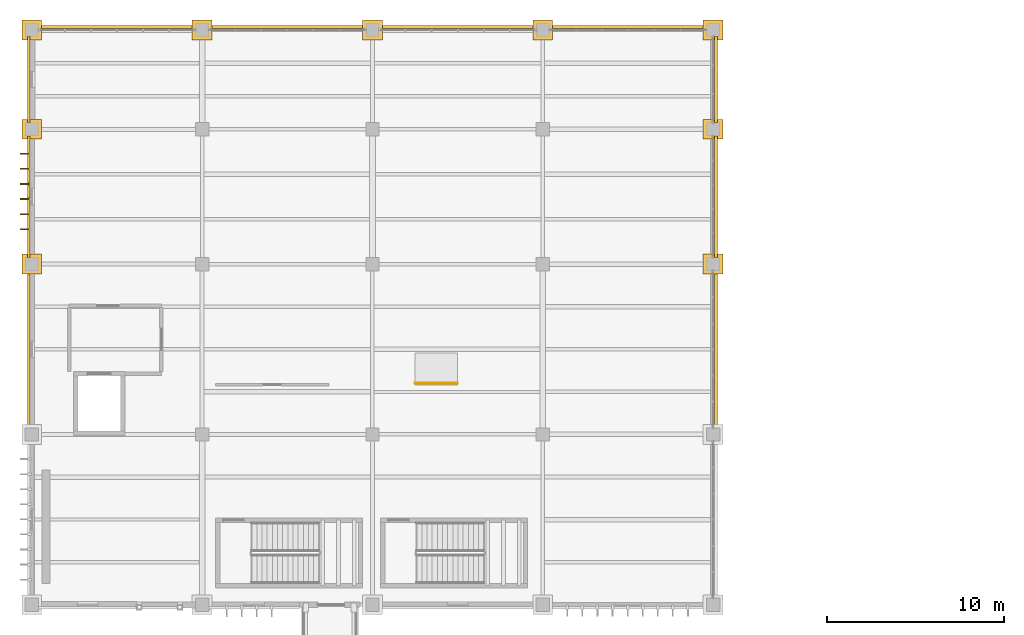
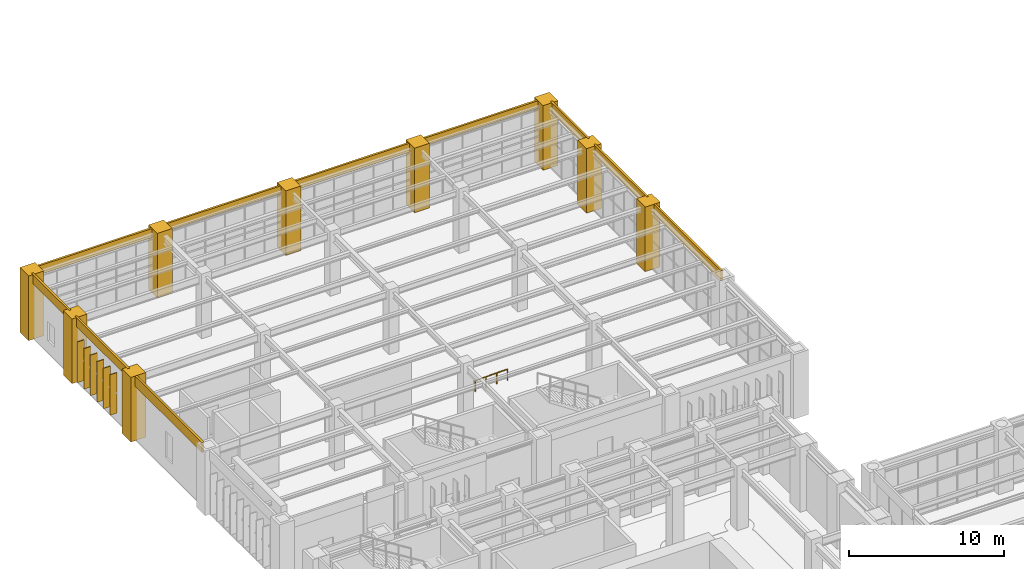
# One storey, part 168 of 174: 19 coverings, 6 shading devices, 1 railing.
"""IFC4 building model written with IfcOpenShell, lengths in metres."""

from ifc_helpers import new_model, si_unit, direction, frame, origin, origin_2d, place, context, subcontext, project, spatial, polyline, rectangle, circle, outline, extrude, material, layer, layer_set, type_object, element, save


model = new_model("IFC4")

# Units and contexts
model_context = context("Model", 3, precision=1e-05, world=origin(), true_north=direction((0.0, 1.0)))
body_context = subcontext(model_context, "Body", "Model", "MODEL_VIEW")
ifc_project = project(units=[si_unit("LENGTHUNIT", "METRE"), si_unit("AREAUNIT", "SQUARE_METRE"), si_unit("VOLUMEUNIT", "CUBIC_METRE"), si_unit("PLANEANGLEUNIT", "RADIAN"), si_unit("MASSUNIT", "GRAM", prefix="KILO")], contexts=[model_context])

# Site, building, storey
site_placement = place(None, origin())
site = spatial("IfcSite", under=ifc_project, at=site_placement, CompositionType="ELEMENT")
building_placement = place(site_placement, origin())
building = spatial("IfcBuilding", under=site, at=building_placement, Name="Mavantir Sound Aquarium", CompositionType="ELEMENT")
storey_placement = place(building_placement, frame((0.0, 0.0, 5.39990234375)))
storey = spatial("IfcBuildingStorey", under=building, at=storey_placement, Name="L01", CompositionType="ELEMENT", Elevation=5.39990234375)

# Coverings
ifc_material_1 = material(Name="Honed Coral-Limestone & Glazed Terracotta Rainscreen Cladding", Category="masonry")
ifc_layer = layer(ifc_material_1, 0.06005859375, Name="Honed Coral-Limestone & Glazed Terracotta Rainscreen Cladding")
ifc_layer_set = layer_set([ifc_layer], Name="Honed Coral-Limestone & Glazed Terracotta Rainscreen Cladding")
covering_type = type_object("IfcCoveringType", Name="COV-CLAD-TC", PredefinedType="CLADDING", material=ifc_layer_set)
covering_1_placement = place(storey_placement, frame((0.0, 0.0, 4.279052734375)))
element("IfcCovering", 1, at=covering_1_placement, inside=storey, type_object=covering_type, Name="L01 Postmodern coral-limestone spandrel frieze 244", PredefinedType="CLADDING", context=body_context, shape_type="SweptSolid", body=[
    extrude(outline(polyline([(38.489990234375, 93.5830078125), (38.489990234375, 102.4169921875), (38.639892578125, 102.4169921875), (38.639892578125, 93.5830078125), (38.489990234375, 93.5830078125)])), origin(), (0.0, 0.0, 1.0), 0.821044921875),
])
covering_2_placement = place(storey_placement, frame((0.0, 0.0, 4.279052734375)))
element("IfcCovering", 2, at=covering_2_placement, inside=storey, type_object=covering_type, Name="L01 Postmodern coral-limestone spandrel frieze 245", PredefinedType="CLADDING", context=body_context, shape_type="SweptSolid", body=[
    extrude(outline(polyline([(38.489990234375, 103.18310546875), (38.489990234375, 110.01708984375), (38.639892578125, 110.01708984375), (38.639892578125, 103.18310546875), (38.489990234375, 103.18310546875)])), origin(), (0.0, 0.0, 1.0), 0.821044921875),
])
covering_3_placement = place(storey_placement, frame((0.0, 0.0, 4.279052734375)))
element("IfcCovering", 3, at=covering_3_placement, inside=storey, type_object=covering_type, Name="L01 Postmodern coral-limestone spandrel frieze 246", PredefinedType="CLADDING", context=body_context, shape_type="SweptSolid", body=[
    extrude(outline(polyline([(38.489990234375, 110.782958984375), (38.489990234375, 115.616943359375), (38.639892578125, 115.616943359375), (38.639892578125, 110.782958984375), (38.489990234375, 110.782958984375)])), origin(), (0.0, 0.0, 1.0), 0.821044921875),
])
covering_4_placement = place(storey_placement, frame((0.0, 0.0, 4.4931640625)))
element("IfcCovering", 4, at=covering_4_placement, inside=storey, type_object=covering_type, Name="L01 Postmodern coral-limestone spandrel frieze 247", PredefinedType="CLADDING", context=body_context, shape_type="SweptSolid", body=[
    extrude(outline(polyline([(38.01708984375, 116.090087890625), (29.18310546875, 116.090087890625), (29.18310546875, 116.239990234375), (38.01708984375, 116.239990234375), (38.01708984375, 116.090087890625)])), origin(), (0.0, 0.0, 1.0), 0.60693359375),
])
covering_5_placement = place(storey_placement, frame((0.0, 0.0, 4.38818359375)))
element("IfcCovering", 5, at=covering_5_placement, inside=storey, type_object=covering_type, Name="L01 Postmodern coral-limestone spandrel frieze 248", PredefinedType="CLADDING", context=body_context, shape_type="SweptSolid", body=[
    extrude(outline(polyline([(28.4169921875, 116.090087890625), (19.5830078125, 116.090087890625), (19.5830078125, 116.239990234375), (28.4169921875, 116.239990234375), (28.4169921875, 116.090087890625)])), origin(), (0.0, 0.0, 1.0), 0.7119140625),
])
covering_6_placement = place(storey_placement, frame((0.0, 0.0, 4.4931640625)))
element("IfcCovering", 6, at=covering_6_placement, inside=storey, type_object=covering_type, Name="L01 Postmodern coral-limestone spandrel frieze 249", PredefinedType="CLADDING", context=body_context, shape_type="SweptSolid", body=[
    extrude(outline(polyline([(18.81689453125, 116.090087890625), (9.98291015625, 116.090087890625), (9.98291015625, 116.239990234375), (18.81689453125, 116.239990234375), (18.81689453125, 116.090087890625)])), origin(), (0.0, 0.0, 1.0), 0.60693359375),
])
covering_7_placement = place(storey_placement, frame((0.0, 0.0, 4.38818359375)))
element("IfcCovering", 7, at=covering_7_placement, inside=storey, type_object=covering_type, Name="L01 Postmodern coral-limestone spandrel frieze 250", PredefinedType="CLADDING", context=body_context, shape_type="SweptSolid", body=[
    extrude(outline(polyline([(9.217041015625, 116.090087890625), (0.383056640625, 116.090087890625), (0.383056640625, 116.239990234375), (9.217041015625, 116.239990234375), (9.217041015625, 116.090087890625)])), origin(), (0.0, 0.0, 1.0), 0.7119140625),
])
covering_8_placement = place(storey_placement, frame((0.0, 0.0, 4.385986328125)))
element("IfcCovering", 8, at=covering_8_placement, inside=storey, type_object=covering_type, Name="L01 Postmodern coral-limestone spandrel frieze 251", PredefinedType="CLADDING", context=body_context, shape_type="SweptSolid", body=[
    extrude(outline(polyline([(-0.090087890625, 115.616943359375), (-0.090087890625, 110.782958984375), (-0.239990234375, 110.782958984375), (-0.239990234375, 115.616943359375), (-0.090087890625, 115.616943359375)])), origin(), (0.0, 0.0, 1.0), 0.714111328125),
])
covering_9_placement = place(storey_placement, frame((0.0, 0.0, 4.406005859375)))
element("IfcCovering", 9, at=covering_9_placement, inside=storey, type_object=covering_type, Name="L01 Postmodern coral-limestone spandrel frieze 252", PredefinedType="CLADDING", context=body_context, shape_type="SweptSolid", body=[
    extrude(outline(polyline([(-0.090087890625, 110.01708984375), (-0.090087890625, 103.18310546875), (-0.239990234375, 103.18310546875), (-0.239990234375, 110.01708984375), (-0.090087890625, 110.01708984375)])), origin(), (0.0, 0.0, 1.0), 0.694091796875),
])
covering_10_placement = place(storey_placement, frame((0.0, 0.0, 4.299072265625)))
element("IfcCovering", 10, at=covering_10_placement, inside=storey, type_object=covering_type, Name="L01 Postmodern coral-limestone spandrel frieze 253", PredefinedType="CLADDING", context=body_context, shape_type="SweptSolid", body=[
    extrude(outline(polyline([(-0.090087890625, 102.4169921875), (-0.090087890625, 93.5830078125), (-0.239990234375, 93.5830078125), (-0.239990234375, 102.4169921875), (-0.090087890625, 102.4169921875)])), origin(), (0.0, 0.0, 1.0), 0.801025390625),
])
covering_11_placement = place(storey_placement, origin())
element("IfcCovering", 11, at=covering_11_placement, inside=storey, type_object=covering_type, Name="L01 Postmodern coral-limestone pilaster casing 356", PredefinedType="CLADDING", context=body_context, shape_type="SweptSolid", body=[
    extrude(outline(polyline([(-0.56005859375, 102.239990234375), (0.56005859375, 102.239990234375), (0.56005859375, 103.360107421875), (-0.56005859375, 103.360107421875), (-0.56005859375, 102.239990234375)])), origin(), (0.0, 0.0, 1.0), 5.10009765625),
])
covering_12_placement = place(storey_placement, origin())
element("IfcCovering", 12, at=covering_12_placement, inside=storey, type_object=covering_type, Name="L01 Postmodern coral-limestone pilaster casing 362", PredefinedType="CLADDING", context=body_context, shape_type="SweptSolid", body=[
    extrude(outline(polyline([(-0.56005859375, 109.840087890625), (0.56005859375, 109.840087890625), (0.56005859375, 110.9599609375), (-0.56005859375, 110.9599609375), (-0.56005859375, 109.840087890625)])), origin(), (0.0, 0.0, 1.0), 5.10009765625),
])
covering_13_placement = place(storey_placement, origin())
element("IfcCovering", 13, at=covering_13_placement, inside=storey, type_object=covering_type, Name="L01 Postmodern coral-limestone pilaster casing 365", PredefinedType="CLADDING", context=body_context, shape_type="SweptSolid", body=[
    extrude(outline(polyline([(-0.56005859375, 115.43994140625), (0.56005859375, 115.43994140625), (0.56005859375, 116.56005859375), (-0.56005859375, 116.56005859375), (-0.56005859375, 115.43994140625)])), origin(), (0.0, 0.0, 1.0), 5.10009765625),
])
covering_14_placement = place(storey_placement, origin())
element("IfcCovering", 14, at=covering_14_placement, inside=storey, type_object=covering_type, Name="L01 Postmodern coral-limestone pilaster casing 377", PredefinedType="CLADDING", context=body_context, shape_type="SweptSolid", body=[
    extrude(outline(polyline([(9.0400390625, 115.43994140625), (10.159912109375, 115.43994140625), (10.159912109375, 116.56005859375), (9.0400390625, 116.56005859375), (9.0400390625, 115.43994140625)])), origin(), (0.0, 0.0, 1.0), 5.10009765625),
])
covering_15_placement = place(storey_placement, origin())
element("IfcCovering", 15, at=covering_15_placement, inside=storey, type_object=covering_type, Name="L01 Postmodern coral-limestone pilaster casing 389", PredefinedType="CLADDING", context=body_context, shape_type="SweptSolid", body=[
    extrude(outline(polyline([(18.639892578125, 115.43994140625), (19.760009765625, 115.43994140625), (19.760009765625, 116.56005859375), (18.639892578125, 116.56005859375), (18.639892578125, 115.43994140625)])), origin(), (0.0, 0.0, 1.0), 5.10009765625),
])
covering_16_placement = place(storey_placement, origin())
element("IfcCovering", 16, at=covering_16_placement, inside=storey, type_object=covering_type, Name="L01 Postmodern coral-limestone pilaster casing 406", PredefinedType="CLADDING", context=body_context, shape_type="SweptSolid", body=[
    extrude(outline(polyline([(28.239990234375, 115.43994140625), (29.360107421875, 115.43994140625), (29.360107421875, 116.56005859375), (28.239990234375, 116.56005859375), (28.239990234375, 115.43994140625)])), origin(), (0.0, 0.0, 1.0), 5.10009765625),
])
covering_17_placement = place(storey_placement, origin())
element("IfcCovering", 17, at=covering_17_placement, inside=storey, type_object=covering_type, Name="L01 Postmodern coral-limestone pilaster casing 412", PredefinedType="CLADDING", context=body_context, shape_type="SweptSolid", body=[
    extrude(outline(polyline([(37.840087890625, 102.239990234375), (38.9599609375, 102.239990234375), (38.9599609375, 103.360107421875), (37.840087890625, 103.360107421875), (37.840087890625, 102.239990234375)])), origin(), (0.0, 0.0, 1.0), 5.10009765625),
])
covering_18_placement = place(storey_placement, origin())
element("IfcCovering", 18, at=covering_18_placement, inside=storey, type_object=covering_type, Name="L01 Postmodern coral-limestone pilaster casing 414", PredefinedType="CLADDING", context=body_context, shape_type="SweptSolid", body=[
    extrude(outline(polyline([(37.840087890625, 109.840087890625), (38.9599609375, 109.840087890625), (38.9599609375, 110.9599609375), (37.840087890625, 110.9599609375), (37.840087890625, 109.840087890625)])), origin(), (0.0, 0.0, 1.0), 5.10009765625),
])
covering_19_placement = place(storey_placement, origin())
element("IfcCovering", 19, at=covering_19_placement, inside=storey, type_object=covering_type, Name="L01 Postmodern coral-limestone pilaster casing 416", PredefinedType="CLADDING", context=body_context, shape_type="SweptSolid", body=[
    extrude(outline(polyline([(37.840087890625, 115.43994140625), (38.9599609375, 115.43994140625), (38.9599609375, 116.56005859375), (37.840087890625, 116.56005859375), (37.840087890625, 115.43994140625)])), origin(), (0.0, 0.0, 1.0), 5.10009765625),
])

# Railing
ifc_material_2 = material(Name="Brushed Stainless Steel 316 Handrail", Category="steel")
railing_type = type_object("IfcRailingType", Name="RL-HR-90", PredefinedType="HANDRAIL", material=ifc_material_2)
railing_placement = place(storey_placement, frame((21.60009765625, 96.080078125, -0.059814453125)))
element("IfcRailing", 20, at=railing_placement, inside=storey, type_object=railing_type, Name="L01 accessible ramp handrail 4", PredefinedType="HANDRAIL", context=body_context, shape_type="SweptSolid", body=[
    extrude(circle(Radius=0.02392578125, at=origin_2d()), frame((0.0, 0.0, 0.89111328125), z_axis=(0.999689549145, 0.0, 0.024915965365), x_axis=(0.0, 1.0, 0.0)), (0.0, 0.0, 1.0), 2.400634765625),
    extrude(circle(Radius=0.02099609375, at=origin_2d()), origin(), (0.0, 0.0, 1.0), 0.866943359375),
    extrude(circle(Radius=0.02099609375, at=origin_2d()), frame((0.800048828125, 0.0, 0.02001953125)), (0.0, 0.0, 1.0), 0.866943359375),
    extrude(circle(Radius=0.02099609375, at=origin_2d()), frame((1.599853515625, 0.0, 0.039794921875)), (0.0, 0.0, 1.0), 0.866943359375),
    extrude(circle(Radius=0.02099609375, at=origin_2d()), frame((2.39990234375, 0.0, 0.059814453125)), (0.0, 0.0, 1.0), 0.866943359375),
])

# Shading devices
ifc_material_3 = material(Name="Anodised Terracotta-Finish Aluminium Brise-Soleil", Category="masonry")
shading_device_type = type_object("IfcShadingDeviceType", Name="SHD-FIN-520", PredefinedType="JALOUSIE", material=ifc_material_3)
for number, where, z_axis, x_axis, name in (
    (21, (-0.39501953125, 109.01708984375, 0.6279296875), (0.0, 0.0, 1.0), (0.0, 1.0, 0.0), "Tropical solar brise-soleil fin 1"),
    (22, (-0.39501953125, 108.1669921875, 0.6279296875), (0.0, 0.0, 1.0), (0.0, 1.0, 0.0), "Tropical solar brise-soleil fin 2"),
    (23, (-0.39501953125, 107.31689453125, 0.6279296875), (0.0, 0.0, 1.0), (0.0, 1.0, 0.0), "Tropical solar brise-soleil fin 3"),
    (24, (-0.39501953125, 106.467041015625, 0.6279296875), (0.0, 0.0, 1.0), (0.0, 1.0, 0.0), "Tropical solar brise-soleil fin 4"),
    (25, (-0.39501953125, 105.616943359375, 0.6279296875), (0.0, 0.0, 1.0), (0.0, 1.0, 0.0), "Tropical solar brise-soleil fin 5"),
    (26, (-0.39501953125, 104.76708984375, 0.6279296875), (0.0, 0.0, 1.0), (0.0, 1.0, 0.0), "Tropical solar brise-soleil fin 6"),
):
    element("IfcShadingDevice", number, at=place(storey_placement, frame(where, z_axis=z_axis, x_axis=x_axis)), inside=storey, type_object=shading_device_type, Name=name, PredefinedType="JALOUSIE", context=body_context, shape_type="SweptSolid", body=[
        extrude(rectangle(XDim=0.06494140625, YDim=0.52001953125, at=origin_2d()), origin(), (0.0, 0.0, 1.0), 3.199951171875),
    ])

save(model, "model.ifc")
